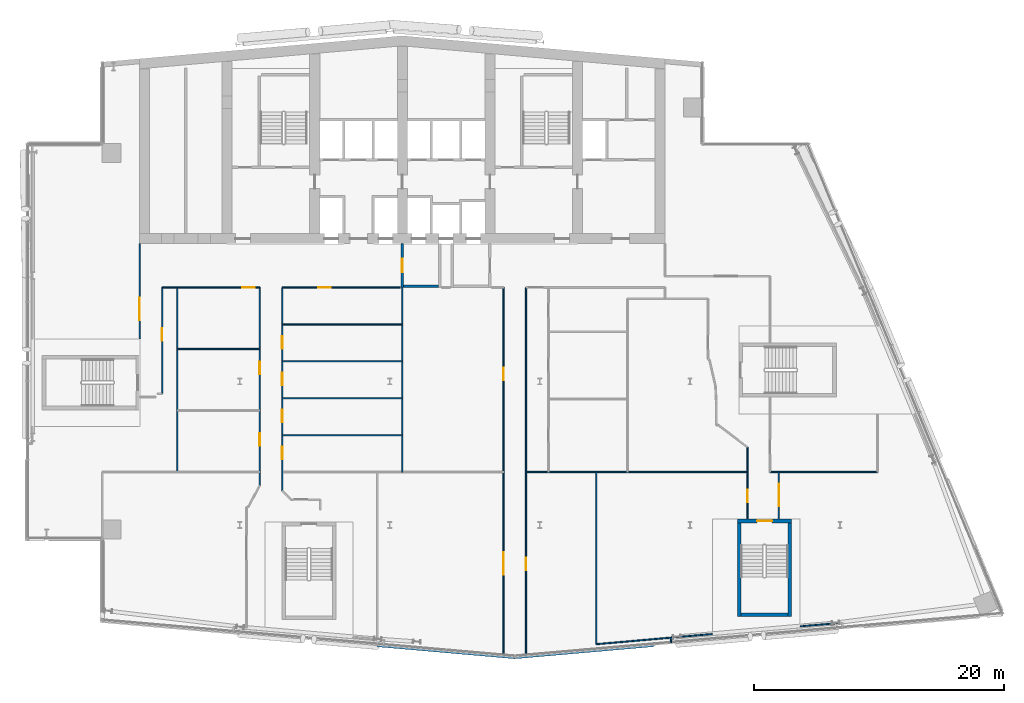
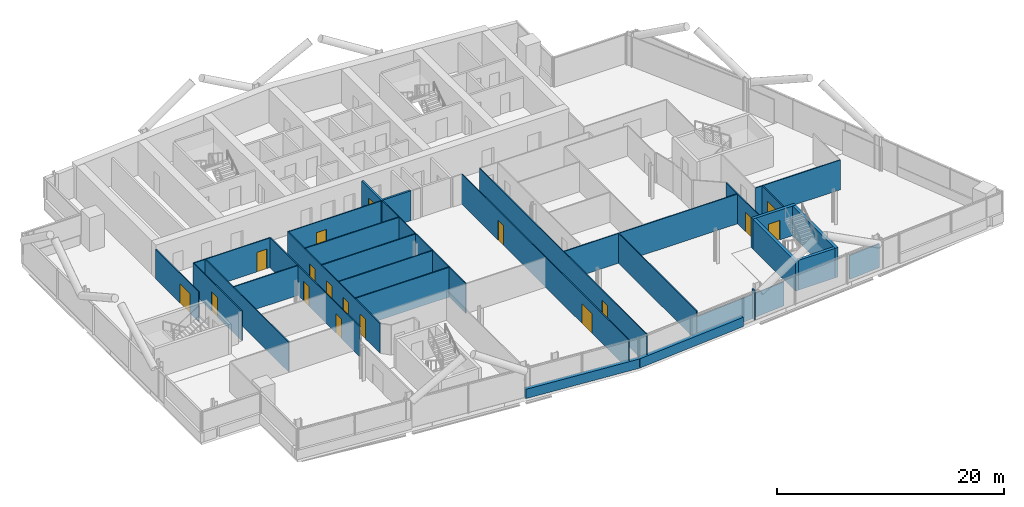
# One storey, part 16 of 26: 31 walls, 17 doors, 17 openings.
"""IFC4 building model written with IfcOpenShell, lengths in metres."""

from ifc_helpers import new_model, si_unit, direction, frame, frame_2d, origin, place, context, subcontext, project, spatial, rectangle, extrude, material, layer, layer_set, type_object, element, fill, save


model = new_model("IFC4")

# Units and contexts
model_context = context("Model", 3, precision=1e-05, world=origin(), true_north=direction((0.0, 1.0)))
body_context = subcontext(model_context, "Body", "Model", "MODEL_VIEW")
ifc_project = project(units=[si_unit("LENGTHUNIT", "METRE"), si_unit("AREAUNIT", "SQUARE_METRE"), si_unit("VOLUMEUNIT", "CUBIC_METRE"), si_unit("PLANEANGLEUNIT", "RADIAN"), si_unit("MASSUNIT", "GRAM", prefix="KILO")], contexts=[model_context])

# Site, building, storey
site_placement = place(None, origin())
site = spatial("IfcSite", under=ifc_project, at=site_placement, CompositionType="ELEMENT")
building_placement = place(site_placement, origin())
building = spatial("IfcBuilding", under=site, at=building_placement, Name="Wharfspan Tower", CompositionType="ELEMENT")
storey_placement = place(building_placement, frame((0.0, 0.0, 169.899902)))
storey = spatial("IfcBuildingStorey", under=building, at=storey_placement, Name="L41", CompositionType="ELEMENT", Elevation=169.899902)

# Wall, opening, door
ifc_material_1 = material(Name="Gypsum board on steel studs", Category="steel")
ifc_layer_1 = layer(ifc_material_1, 0.100098)
ifc_layer_set_1 = layer_set([ifc_layer_1], Name="Gypsum board on steel studs")
wall_type_1 = type_object("IfcWallType", Name="Compartment wall 100 EI 60", PredefinedType="PARTITIONING", material=ifc_layer_set_1)
wall_1_placement = place(storey_placement, frame((16.0, 26.419922, 0.0), z_axis=(0.0, 0.0, 1.0), x_axis=(0.0, 1.0, 0.0)))
wall_1 = element("IfcWall", 1, at=wall_1_placement, inside=storey, type_object=wall_type_1, Name="Partition L41.w006", PredefinedType="PARTITIONING", context=body_context, shape_type="SweptSolid", body=[
    extrude(rectangle(XDim=7.560059, YDim=0.100098, at=frame_2d((3.780029, 0.0))), origin(), (0.0, 0.0, 1.0), 3.200195),
])
opening_1_placement = place(wall_1_placement, frame((1.47998, 0.0, 0.0)))
opening_1 = element("IfcOpeningElement", 2, at=opening_1_placement, cuts=wall_1, Name="Opening C3-20", PredefinedType="OPENING", context=body_context, shape_type="SweptSolid", body=[
    extrude(rectangle(XDim=1.800049, YDim=2.100098, at=frame_2d((0.899902, 1.050049))), frame((0.0, 0.060059, 0.0), z_axis=(0.0, -1.0, 0.0), x_axis=(1.0, 0.0, 0.0)), (0.0, 0.0, 1.0), 0.120117),
])
ifc_material_2 = material(Name="Fire-rated timber door leaf in steel frame", Category="steel")
door_type_1 = type_object("IfcDoorType", Name="Door 1800 FD30S Double", OperationType="DOUBLE_DOOR_SINGLE_SWING", PredefinedType="DOOR", material=ifc_material_2)
door_1_placement = place(opening_1_placement, origin())
door_1 = element("IfcDoor", 3, at=door_1_placement, inside=storey, type_object=door_type_1, Name="Door C3-20", OperationType="DOUBLE_DOOR_SINGLE_SWING", OverallHeight=2.100098, OverallWidth=1.800049, PredefinedType="DOOR", context=body_context, shape_type="SweptSolid", body=[
    extrude(rectangle(XDim=1.800049, YDim=2.100098, at=frame_2d((0.899902, 1.050049))), frame((0.0, 0.024902, 0.0), z_axis=(0.0, -1.0, 0.0), x_axis=(1.0, 0.0, 0.0)), (0.0, 0.0, 1.0), 0.050049),
])
fill(opening_1, door_1)

wall_2_placement = place(storey_placement, frame((17.800049, 22.0, 0.0), z_axis=(0.0, 0.0, 1.0), x_axis=(0.0, 1.0, 0.0)))
wall_2 = element("IfcWall", 4, at=wall_2_placement, inside=storey, type_object=wall_type_1, Name="Partition L41.w009", PredefinedType="PARTITIONING", context=body_context, shape_type="SweptSolid", body=[
    extrude(rectangle(XDim=8.5, YDim=0.100098, at=frame_2d((4.25, 0.0))), origin(), (0.0, 0.0, 1.0), 3.200195),
])
opening_2_placement = place(wall_2_placement, frame((4.231201, 0.0, 0.0)))
opening_2 = element("IfcOpeningElement", 5, at=opening_2_placement, cuts=wall_2, Name="Opening C3-18", PredefinedType="OPENING", context=body_context, shape_type="SweptSolid", body=[
    extrude(rectangle(XDim=1.0, YDim=2.100098, at=frame_2d((0.5, 1.050049))), frame((0.0, 0.060059, 0.0), z_axis=(0.0, -1.0, 0.0), x_axis=(1.0, 0.0, 0.0)), (0.0, 0.0, 1.0), 0.120117),
])
door_type_2 = type_object("IfcDoorType", Name="Door 1000 FD30S Right", OperationType="SINGLE_SWING_RIGHT", PredefinedType="DOOR", material=ifc_material_2)
door_2_placement = place(opening_2_placement, origin())
door_2 = element("IfcDoor", 6, at=door_2_placement, inside=storey, type_object=door_type_2, Name="Door C3-18", OperationType="SINGLE_SWING_RIGHT", OverallHeight=2.100098, OverallWidth=1.0, PredefinedType="DOOR", context=body_context, shape_type="SweptSolid", body=[
    extrude(rectangle(XDim=1.0, YDim=2.100098, at=frame_2d((0.5, 1.050049))), frame((0.0, 0.024902, 0.0), z_axis=(0.0, -1.0, 0.0), x_axis=(1.0, 0.0, 0.0)), (0.0, 0.0, 1.0), 0.050049),
])
fill(opening_2, door_2)

wall_3_placement = place(storey_placement, frame((17.800049, 30.5, 0.0), z_axis=(0.0, 0.0, 1.0), x_axis=(1.0, 0.0, 0.0)))
wall_3 = element("IfcWall", 7, at=wall_3_placement, inside=storey, type_object=wall_type_1, Name="Partition L41.w010", PredefinedType="PARTITIONING", context=body_context, shape_type="SweptSolid", body=[
    extrude(rectangle(XDim=7.800049, YDim=0.100098, at=frame_2d((3.899902, 0.0))), origin(), (0.0, 0.0, 1.0), 3.200195),
])
opening_3_placement = place(wall_3_placement, frame((6.419922, 0.0, 0.0)))
opening_3 = element("IfcOpeningElement", 8, at=opening_3_placement, cuts=wall_3, Name="Opening C3-22", PredefinedType="OPENING", context=body_context, shape_type="SweptSolid", body=[
    extrude(rectangle(XDim=1.0, YDim=2.100098, at=frame_2d((0.5, 1.050049))), frame((0.0, 0.060059, 0.0), z_axis=(0.0, -1.0, 0.0), x_axis=(1.0, 0.0, 0.0)), (0.0, 0.0, 1.0), 0.120117),
])
door_3_placement = place(opening_3_placement, origin())
door_3 = element("IfcDoor", 9, at=door_3_placement, inside=storey, type_object=door_type_2, Name="Door C3-22", OperationType="SINGLE_SWING_RIGHT", OverallHeight=2.100098, OverallWidth=1.0, PredefinedType="DOOR", context=body_context, shape_type="SweptSolid", body=[
    extrude(rectangle(XDim=1.0, YDim=2.100098, at=frame_2d((0.5, 1.050049))), frame((0.0, 0.024902, 0.0), z_axis=(0.0, -1.0, 0.0), x_axis=(1.0, 0.0, 0.0)), (0.0, 0.0, 1.0), 0.050049),
])
fill(opening_3, door_3)

# Walls
wall_4_placement = place(storey_placement, frame((19.0, 15.745117, 0.0), z_axis=(0.0, 0.0, 1.0), x_axis=(0.0, 1.0, 0.0)))
element("IfcWall", 10, at=wall_4_placement, inside=storey, type_object=wall_type_1, Name="Partition L41.w011", PredefinedType="PARTITIONING", context=body_context, shape_type="SweptSolid", body=[
    extrude(rectangle(XDim=14.754883, YDim=0.100098, at=frame_2d((7.377441, 0.0))), origin(), (0.0, 0.0, 1.0), 3.200195),
])
wall_5_placement = place(storey_placement, frame((19.0, 25.580078, 0.0), z_axis=(0.0, 0.0, 1.0), x_axis=(1.0, 0.0, 0.0)))
element("IfcWall", 11, at=wall_5_placement, inside=storey, type_object=wall_type_1, Name="Partition L41.w013", PredefinedType="PARTITIONING", context=body_context, shape_type="SweptSolid", body=[
    extrude(rectangle(XDim=6.600098, YDim=0.100098, at=frame_2d((3.300049, 0.0))), origin(), (0.0, 0.0, 1.0), 3.200195),
])

# Wall, openings, doors
wall_6_placement = place(storey_placement, frame((25.600098, 14.669922, 0.0), z_axis=(0.0, 0.0, 1.0), x_axis=(0.0, 1.0, 0.0)))
wall_6 = element("IfcWall", 12, at=wall_6_placement, inside=storey, type_object=wall_type_1, Name="Partition L41.w018", PredefinedType="PARTITIONING", context=body_context, shape_type="SweptSolid", body=[
    extrude(rectangle(XDim=15.830078, YDim=0.100098, at=frame_2d((7.915039, 0.0))), origin(), (0.0, 0.0, 1.0), 3.200195),
])
opening_4_placement = place(wall_6_placement, frame((3.175049, 0.0, 0.0)))
opening_4 = element("IfcOpeningElement", 13, at=opening_4_placement, cuts=wall_6, Name="Opening C3-09", PredefinedType="OPENING", context=body_context, shape_type="SweptSolid", body=[
    extrude(rectangle(XDim=1.0, YDim=2.100098, at=frame_2d((0.5, 1.050049))), frame((0.0, 0.060059, 0.0), z_axis=(0.0, -1.0, 0.0), x_axis=(1.0, 0.0, 0.0)), (0.0, 0.0, 1.0), 0.120117),
])
opening_5_placement = place(wall_6_placement, frame((8.889893, 0.0, 0.0)))
opening_5 = element("IfcOpeningElement", 14, at=opening_5_placement, cuts=wall_6, Name="Opening C3-14", PredefinedType="OPENING", context=body_context, shape_type="SweptSolid", body=[
    extrude(rectangle(XDim=1.0, YDim=2.100098, at=frame_2d((0.5, 1.050049))), frame((0.0, 0.060059, 0.0), z_axis=(0.0, -1.0, 0.0), x_axis=(1.0, 0.0, 0.0)), (0.0, 0.0, 1.0), 0.120117),
])
door_type_3 = type_object("IfcDoorType", Name="Door 1000 FD30S Left", OperationType="SINGLE_SWING_LEFT", PredefinedType="DOOR", material=ifc_material_2)
door_4_placement = place(opening_4_placement, origin())
door_4 = element("IfcDoor", 15, at=door_4_placement, inside=storey, type_object=door_type_3, Name="Door C3-09", OperationType="SINGLE_SWING_LEFT", OverallHeight=2.100098, OverallWidth=1.0, PredefinedType="DOOR", context=body_context, shape_type="SweptSolid", body=[
    extrude(rectangle(XDim=1.0, YDim=2.100098, at=frame_2d((0.5, 1.050049))), frame((0.0, 0.024902, 0.0), z_axis=(0.0, -1.0, 0.0), x_axis=(1.0, 0.0, 0.0)), (0.0, 0.0, 1.0), 0.050049),
])
fill(opening_4, door_4)
door_5_placement = place(opening_5_placement, origin())
door_5 = element("IfcDoor", 16, at=door_5_placement, inside=storey, type_object=door_type_2, Name="Door C3-14", OperationType="SINGLE_SWING_RIGHT", OverallHeight=2.100098, OverallWidth=1.0, PredefinedType="DOOR", context=body_context, shape_type="SweptSolid", body=[
    extrude(rectangle(XDim=1.0, YDim=2.100098, at=frame_2d((0.5, 1.050049))), frame((0.0, 0.024902, 0.0), z_axis=(0.0, -1.0, 0.0), x_axis=(1.0, 0.0, 0.0)), (0.0, 0.0, 1.0), 0.050049),
])
fill(opening_5, door_5)

wall_7_placement = place(storey_placement, frame((27.399902, 14.23999, 0.0), z_axis=(0.0, 0.0, 1.0), x_axis=(0.0, 1.0, 0.0)))
wall_7 = element("IfcWall", 17, at=wall_7_placement, inside=storey, type_object=wall_type_1, Name="Partition L41.w019", PredefinedType="PARTITIONING", context=body_context, shape_type="SweptSolid", body=[
    extrude(rectangle(XDim=16.26001, YDim=0.100098, at=frame_2d((8.129883, 0.0))), origin(), (0.0, 0.0, 1.0), 3.200195),
])
opening_6_placement = place(wall_7_placement, frame((2.524902, 0.0, 0.0)))
opening_6 = element("IfcOpeningElement", 18, at=opening_6_placement, cuts=wall_7, Name="Opening C3-07", PredefinedType="OPENING", context=body_context, shape_type="SweptSolid", body=[
    extrude(rectangle(XDim=1.0, YDim=2.100098, at=frame_2d((0.5, 1.050049))), frame((0.0, 0.060059, 0.0), z_axis=(0.0, -1.0, 0.0), x_axis=(1.0, 0.0, 0.0)), (0.0, 0.0, 1.0), 0.120117),
])
opening_7_placement = place(wall_7_placement, frame((5.475098, 0.0, 0.0)))
opening_7 = element("IfcOpeningElement", 19, at=opening_7_placement, cuts=wall_7, Name="Opening C3-11", PredefinedType="OPENING", context=body_context, shape_type="SweptSolid", body=[
    extrude(rectangle(XDim=1.0, YDim=2.100098, at=frame_2d((0.5, 1.050049))), frame((0.0, 0.060059, 0.0), z_axis=(0.0, -1.0, 0.0), x_axis=(1.0, 0.0, 0.0)), (0.0, 0.0, 1.0), 0.120117),
])
opening_8_placement = place(wall_7_placement, frame((8.425049, 0.0, 0.0)))
opening_8 = element("IfcOpeningElement", 20, at=opening_8_placement, cuts=wall_7, Name="Opening C3-12", PredefinedType="OPENING", context=body_context, shape_type="SweptSolid", body=[
    extrude(rectangle(XDim=1.0, YDim=2.100098, at=frame_2d((0.5, 1.050049))), frame((0.0, 0.060059, 0.0), z_axis=(0.0, -1.0, 0.0), x_axis=(1.0, 0.0, 0.0)), (0.0, 0.0, 1.0), 0.120117),
])
opening_9_placement = place(wall_7_placement, frame((11.379883, 0.0, 0.0)))
opening_9 = element("IfcOpeningElement", 21, at=opening_9_placement, cuts=wall_7, Name="Opening C3-16", PredefinedType="OPENING", context=body_context, shape_type="SweptSolid", body=[
    extrude(rectangle(XDim=1.0, YDim=2.100098, at=frame_2d((0.5, 1.050049))), frame((0.0, 0.060059, 0.0), z_axis=(0.0, -1.0, 0.0), x_axis=(1.0, 0.0, 0.0)), (0.0, 0.0, 1.0), 0.120117),
])
door_6_placement = place(opening_6_placement, origin())
door_6 = element("IfcDoor", 22, at=door_6_placement, inside=storey, type_object=door_type_3, Name="Door C3-07", OperationType="SINGLE_SWING_LEFT", OverallHeight=2.100098, OverallWidth=1.0, PredefinedType="DOOR", context=body_context, shape_type="SweptSolid", body=[
    extrude(rectangle(XDim=1.0, YDim=2.100098, at=frame_2d((0.5, 1.050049))), frame((0.0, 0.024902, 0.0), z_axis=(0.0, -1.0, 0.0), x_axis=(1.0, 0.0, 0.0)), (0.0, 0.0, 1.0), 0.050049),
])
fill(opening_6, door_6)
door_7_placement = place(opening_7_placement, origin())
door_7 = element("IfcDoor", 23, at=door_7_placement, inside=storey, type_object=door_type_3, Name="Door C3-11", OperationType="SINGLE_SWING_LEFT", OverallHeight=2.100098, OverallWidth=1.0, PredefinedType="DOOR", context=body_context, shape_type="SweptSolid", body=[
    extrude(rectangle(XDim=1.0, YDim=2.100098, at=frame_2d((0.5, 1.050049))), frame((0.0, 0.024902, 0.0), z_axis=(0.0, -1.0, 0.0), x_axis=(1.0, 0.0, 0.0)), (0.0, 0.0, 1.0), 0.050049),
])
fill(opening_7, door_7)
door_8_placement = place(opening_8_placement, origin())
door_8 = element("IfcDoor", 24, at=door_8_placement, inside=storey, type_object=door_type_2, Name="Door C3-12", OperationType="SINGLE_SWING_RIGHT", OverallHeight=2.100098, OverallWidth=1.0, PredefinedType="DOOR", context=body_context, shape_type="SweptSolid", body=[
    extrude(rectangle(XDim=1.0, YDim=2.100098, at=frame_2d((0.5, 1.050049))), frame((0.0, 0.024902, 0.0), z_axis=(0.0, -1.0, 0.0), x_axis=(1.0, 0.0, 0.0)), (0.0, 0.0, 1.0), 0.050049),
])
fill(opening_8, door_8)
door_9_placement = place(opening_9_placement, origin())
door_9 = element("IfcDoor", 25, at=door_9_placement, inside=storey, type_object=door_type_2, Name="Door C3-16", OperationType="SINGLE_SWING_RIGHT", OverallHeight=2.100098, OverallWidth=1.0, PredefinedType="DOOR", context=body_context, shape_type="SweptSolid", body=[
    extrude(rectangle(XDim=1.0, YDim=2.100098, at=frame_2d((0.5, 1.050049))), frame((0.0, 0.024902, 0.0), z_axis=(0.0, -1.0, 0.0), x_axis=(1.0, 0.0, 0.0)), (0.0, 0.0, 1.0), 0.050049),
])
fill(opening_9, door_9)

# Walls
for number, where, z_axis, x_axis, name in (
    (26, (27.399902, 18.695068, 0.0), (0.0, 0.0, 1.0), (1.0, 0.0, 0.0), "Partition L41.w021"),
    (27, (27.399902, 21.64502, 0.0), (0.0, 0.0, 1.0), (1.0, 0.0, 0.0), "Partition L41.w022"),
    (28, (27.399902, 24.600098, 0.0), (0.0, 0.0, 1.0), (1.0, 0.0, 0.0), "Partition L41.w023"),
    (29, (27.399902, 27.550049, 0.0), (0.0, 0.0, 1.0), (1.0, 0.0, 0.0), "Partition L41.w024"),
):
    element("IfcWall", number, at=place(storey_placement, frame(where, z_axis=z_axis, x_axis=x_axis)), inside=storey, type_object=wall_type_1, Name=name, PredefinedType="PARTITIONING", context=body_context, shape_type="SweptSolid", body=[
        extrude(rectangle(XDim=9.600098, YDim=0.100098, at=frame_2d((4.800049, 0.0))), origin(), (0.0, 0.0, 1.0), 3.200195),
    ])

# Wall, opening, door
wall_8_placement = place(storey_placement, frame((27.399902, 30.5, 0.0), z_axis=(0.0, 0.0, 1.0), x_axis=(1.0, 0.0, 0.0)))
wall_8 = element("IfcWall", 30, at=wall_8_placement, inside=storey, type_object=wall_type_1, Name="Partition L41.w025", PredefinedType="PARTITIONING", context=body_context, shape_type="SweptSolid", body=[
    extrude(rectangle(XDim=9.450195, YDim=0.100098, at=frame_2d((4.725098, 0.0))), origin(), (0.0, 0.0, 1.0), 3.200195),
])
opening_10_placement = place(wall_8_placement, frame((2.870117, 0.0, 0.0)))
opening_10 = element("IfcOpeningElement", 31, at=opening_10_placement, cuts=wall_8, Name="Opening C3-23", PredefinedType="OPENING", context=body_context, shape_type="SweptSolid", body=[
    extrude(rectangle(XDim=1.0, YDim=2.100098, at=frame_2d((0.5, 1.050049))), frame((0.0, 0.060059, 0.0), z_axis=(0.0, -1.0, 0.0), x_axis=(1.0, 0.0, 0.0)), (0.0, 0.0, 1.0), 0.120117),
])
door_10_placement = place(opening_10_placement, origin())
door_10 = element("IfcDoor", 32, at=door_10_placement, inside=storey, type_object=door_type_3, Name="Door C3-23", OperationType="SINGLE_SWING_LEFT", OverallHeight=2.100098, OverallWidth=1.0, PredefinedType="DOOR", context=body_context, shape_type="SweptSolid", body=[
    extrude(rectangle(XDim=1.0, YDim=2.100098, at=frame_2d((0.5, 1.050049))), frame((0.0, 0.024902, 0.0), z_axis=(0.0, -1.0, 0.0), x_axis=(1.0, 0.0, 0.0)), (0.0, 0.0, 1.0), 0.050049),
])
fill(opening_10, door_10)

# Wall
wall_9_placement = place(storey_placement, frame((37.0, 15.745117, 0.0), z_axis=(0.0, 0.0, 1.0), x_axis=(0.0, 1.0, 0.0)))
element("IfcWall", 33, at=wall_9_placement, inside=storey, type_object=wall_type_1, Name="Partition L41.w032", PredefinedType="PARTITIONING", context=body_context, shape_type="SweptSolid", body=[
    extrude(rectangle(XDim=14.754883, YDim=0.100098, at=frame_2d((7.377441, 0.0))), origin(), (0.0, 0.0, 1.0), 3.200195),
])

# Wall, openings, doors
wall_10_placement = place(storey_placement, frame((45.100098, 1.086914, 0.0), z_axis=(0.0, 0.0, 1.0), x_axis=(0.0, 1.0, 0.0)))
wall_10 = element("IfcWall", 34, at=wall_10_placement, inside=storey, type_object=wall_type_1, Name="Partition L41.w033", PredefinedType="PARTITIONING", context=body_context, shape_type="SweptSolid", body=[
    extrude(rectangle(XDim=29.413086, YDim=0.100098, at=frame_2d((14.706543, 0.0))), origin(), (0.0, 0.0, 1.0), 3.200195),
])
opening_11_placement = place(wall_10_placement, frame((6.438232, 0.0, 0.0)))
opening_11 = element("IfcOpeningElement", 35, at=opening_11_placement, cuts=wall_10, Name="Opening C3-02", PredefinedType="OPENING", context=body_context, shape_type="SweptSolid", body=[
    extrude(rectangle(XDim=1.800049, YDim=2.100098, at=frame_2d((0.899902, 1.050049))), frame((0.0, 0.060059, 0.0), z_axis=(0.0, -1.0, 0.0), x_axis=(1.0, 0.0, 0.0)), (0.0, 0.0, 1.0), 0.120117),
])
opening_12_placement = place(wall_10_placement, frame((21.993164, 0.0, 0.0)))
opening_12 = element("IfcOpeningElement", 36, at=opening_12_placement, cuts=wall_10, Name="Opening C3-13", PredefinedType="OPENING", context=body_context, shape_type="SweptSolid", body=[
    extrude(rectangle(XDim=1.0, YDim=2.100098, at=frame_2d((0.5, 1.050049))), frame((0.0, 0.060059, 0.0), z_axis=(0.0, -1.0, 0.0), x_axis=(1.0, 0.0, 0.0)), (0.0, 0.0, 1.0), 0.120117),
])
door_11_placement = place(opening_12_placement, origin())
door_11 = element("IfcDoor", 37, at=door_11_placement, inside=storey, type_object=door_type_2, Name="Door C3-13", OperationType="SINGLE_SWING_RIGHT", OverallHeight=2.100098, OverallWidth=1.0, PredefinedType="DOOR", context=body_context, shape_type="SweptSolid", body=[
    extrude(rectangle(XDim=1.0, YDim=2.100098, at=frame_2d((0.5, 1.050049))), frame((0.0, 0.024902, 0.0), z_axis=(0.0, -1.0, 0.0), x_axis=(1.0, 0.0, 0.0)), (0.0, 0.0, 1.0), 0.050049),
])
fill(opening_12, door_11)
door_12_placement = place(opening_11_placement, origin())
door_12 = element("IfcDoor", 38, at=door_12_placement, inside=storey, type_object=door_type_1, Name="Door C3-02", OperationType="DOUBLE_DOOR_SINGLE_SWING", OverallHeight=2.100098, OverallWidth=1.800049, PredefinedType="DOOR", context=body_context, shape_type="SweptSolid", body=[
    extrude(rectangle(XDim=1.800049, YDim=2.100098, at=frame_2d((0.899902, 1.050049))), frame((0.0, 0.024902, 0.0), z_axis=(0.0, -1.0, 0.0), x_axis=(1.0, 0.0, 0.0)), (0.0, 0.0, 1.0), 0.050049),
])
fill(opening_11, door_12)

# Wall, opening, door
wall_11_placement = place(storey_placement, frame((46.899902, 1.086914, 0.0), z_axis=(0.0, 0.0, 1.0), x_axis=(0.0, 1.0, 0.0)))
wall_11 = element("IfcWall", 39, at=wall_11_placement, inside=storey, type_object=wall_type_1, Name="Partition L41.w034", PredefinedType="PARTITIONING", context=body_context, shape_type="SweptSolid", body=[
    extrude(rectangle(XDim=29.403076, YDim=0.100098, at=frame_2d((14.70166, 0.0))), origin(), (0.0, 0.0, 1.0), 3.200195),
])
opening_13_placement = place(wall_11_placement, frame((6.797852, 0.0, 0.0)))
opening_13 = element("IfcOpeningElement", 40, at=opening_13_placement, cuts=wall_11, Name="Opening C3-01", PredefinedType="OPENING", context=body_context, shape_type="SweptSolid", body=[
    extrude(rectangle(XDim=1.0, YDim=2.100098, at=frame_2d((0.5, 1.050049))), frame((0.0, 0.060059, 0.0), z_axis=(0.0, -1.0, 0.0), x_axis=(1.0, 0.0, 0.0)), (0.0, 0.0, 1.0), 0.120117),
])
door_13_placement = place(opening_13_placement, origin())
door_13 = element("IfcDoor", 41, at=door_13_placement, inside=storey, type_object=door_type_3, Name="Door C3-01", OperationType="SINGLE_SWING_LEFT", OverallHeight=2.100098, OverallWidth=1.0, PredefinedType="DOOR", context=body_context, shape_type="SweptSolid", body=[
    extrude(rectangle(XDim=1.0, YDim=2.100098, at=frame_2d((0.5, 1.050049))), frame((0.0, 0.024902, 0.0), z_axis=(0.0, -1.0, 0.0), x_axis=(1.0, 0.0, 0.0)), (0.0, 0.0, 1.0), 0.050049),
])
fill(opening_13, door_13)

# Wall
wall_12_placement = place(storey_placement, frame((46.909912, 15.745117, 0.0), z_axis=(0.0, 0.0, 1.0), x_axis=(1.0, 0.0, 0.0)))
element("IfcWall", 42, at=wall_12_placement, inside=storey, type_object=wall_type_1, Name="Partition L41.w035", PredefinedType="PARTITIONING", context=body_context, shape_type="SweptSolid", body=[
    extrude(rectangle(XDim=17.690186, YDim=0.100098, at=frame_2d((8.845215, 0.0))), origin(), (0.0, 0.0, 1.0), 3.200195),
])

# Wall, opening, door
wall_13_placement = place(storey_placement, frame((64.600098, 12.003662, 0.0), z_axis=(0.0, 0.0, 1.0), x_axis=(0.0, 1.0, 0.0)))
wall_13 = element("IfcWall", 43, at=wall_13_placement, inside=storey, type_object=wall_type_1, Name="Partition L41.w055", PredefinedType="PARTITIONING", context=body_context, shape_type="SweptSolid", body=[
    extrude(rectangle(XDim=5.716309, YDim=0.100098, at=frame_2d((2.858154, 0.0))), origin(), (0.0, 0.0, 1.0), 3.200195),
])
opening_14_placement = place(wall_13_placement, frame((1.321289, 0.0, 0.0)))
opening_14 = element("IfcOpeningElement", 44, at=opening_14_placement, cuts=wall_13, Name="Opening C3-05", PredefinedType="OPENING", context=body_context, shape_type="SweptSolid", body=[
    extrude(rectangle(XDim=1.0, YDim=2.100098, at=frame_2d((0.5, 1.050049))), frame((0.0, 0.060059, 0.0), z_axis=(0.0, -1.0, 0.0), x_axis=(1.0, 0.0, 0.0)), (0.0, 0.0, 1.0), 0.120117),
])
door_14_placement = place(opening_14_placement, origin())
door_14 = element("IfcDoor", 45, at=door_14_placement, inside=storey, type_object=door_type_3, Name="Door C3-05", OperationType="SINGLE_SWING_LEFT", OverallHeight=2.100098, OverallWidth=1.0, PredefinedType="DOOR", context=body_context, shape_type="SweptSolid", body=[
    extrude(rectangle(XDim=1.0, YDim=2.100098, at=frame_2d((0.5, 1.050049))), frame((0.0, 0.024902, 0.0), z_axis=(0.0, -1.0, 0.0), x_axis=(1.0, 0.0, 0.0)), (0.0, 0.0, 1.0), 0.050049),
])
fill(opening_14, door_14)

# Wall
wall_14_placement = place(storey_placement, frame((66.399902, 15.745117, 0.0), z_axis=(0.0, 0.0, 1.0), x_axis=(1.0, 0.0, 0.0)))
element("IfcWall", 46, at=wall_14_placement, inside=storey, type_object=wall_type_1, Name="Partition L41.w058", PredefinedType="PARTITIONING", context=body_context, shape_type="SweptSolid", body=[
    extrude(rectangle(XDim=8.600098, YDim=0.100098, at=frame_2d((4.300049, 0.0))), origin(), (0.0, 0.0, 1.0), 3.200195),
])

# Wall, opening, door
wall_15_placement = place(storey_placement, frame((67.110107, 12.003662, 0.0), z_axis=(0.0, 0.0, 1.0), x_axis=(0.0, 1.0, 0.0)))
wall_15 = element("IfcWall", 47, at=wall_15_placement, inside=storey, type_object=wall_type_1, Name="Partition L41.w060", PredefinedType="PARTITIONING", context=body_context, shape_type="SweptSolid", body=[
    extrude(rectangle(XDim=3.741455, YDim=0.100098, at=frame_2d((1.870605, 0.0))), origin(), (0.0, 0.0, 1.0), 3.200195),
])
opening_15_placement = place(wall_15_placement, frame((1.001221, 0.0, 0.0)))
opening_15 = element("IfcOpeningElement", 48, at=opening_15_placement, cuts=wall_15, Name="Opening C3-06", PredefinedType="OPENING", context=body_context, shape_type="SweptSolid", body=[
    extrude(rectangle(XDim=1.800049, YDim=2.100098, at=frame_2d((0.899902, 1.050049))), frame((0.0, 0.060059, 0.0), z_axis=(0.0, -1.0, 0.0), x_axis=(1.0, 0.0, 0.0)), (0.0, 0.0, 1.0), 0.120117),
])
door_15_placement = place(opening_15_placement, origin())
door_15 = element("IfcDoor", 49, at=door_15_placement, inside=storey, type_object=door_type_1, Name="Door C3-06", OperationType="DOUBLE_DOOR_SINGLE_SWING", OverallHeight=2.100098, OverallWidth=1.800049, PredefinedType="DOOR", context=body_context, shape_type="SweptSolid", body=[
    extrude(rectangle(XDim=1.800049, YDim=2.100098, at=frame_2d((0.899902, 1.050049))), frame((0.0, 0.024902, 0.0), z_axis=(0.0, -1.0, 0.0), x_axis=(1.0, 0.0, 0.0)), (0.0, 0.0, 1.0), 0.050049),
])
fill(opening_15, door_15)

ifc_material_3 = material(Name="Concrete C30/37", Category="concrete")
ifc_layer_2 = layer(ifc_material_3, 0.199951)
ifc_layer_set_2 = layer_set([ifc_layer_2], Name="Concrete C30/37")
wall_type_2 = type_object("IfcWallType", Name="Lobby wall 200", PredefinedType="PARTITIONING", material=ifc_layer_set_2)
wall_16_placement = place(storey_placement, frame((37.0, 30.5, 0.0), z_axis=(0.0, 0.0, 1.0), x_axis=(0.0, 1.0, 0.0)))
wall_16 = element("IfcWall", 50, at=wall_16_placement, inside=storey, type_object=wall_type_2, Name="sw:L41:FLFF1W", PredefinedType="PARTITIONING", context=body_context, shape_type="SweptSolid", body=[
    extrude(rectangle(XDim=3.5, YDim=0.199951, at=frame_2d((1.75, 0.0))), origin(), (0.0, 0.0, 1.0), 3.200195),
])
opening_16_placement = place(wall_16_placement, frame((1.199951, 0.0, 0.0)))
opening_16 = element("IfcOpeningElement", 51, at=opening_16_placement, cuts=wall_16, Name="Opening FL.FF1.L41", PredefinedType="OPENING", context=body_context, shape_type="SweptSolid", body=[
    extrude(rectangle(XDim=1.100098, YDim=2.100098, at=frame_2d((0.550049, 1.050049))), frame((0.0, 0.109863, 0.0), z_axis=(0.0, -1.0, 0.0), x_axis=(1.0, 0.0, 0.0)), (0.0, 0.0, 1.0), 0.219971),
])
ifc_material_4 = material(Name="Steel door leaf", Category="steel")
door_type_4 = type_object("IfcDoorType", Name="Firefighting lobby door 1100x2100", OperationType="SINGLE_SWING_LEFT", PredefinedType="DOOR", material=ifc_material_4)
door_16_placement = place(opening_16_placement, origin())
door_16 = element("IfcDoor", 52, at=door_16_placement, inside=storey, type_object=door_type_4, Name="fd:L41:FF1", OperationType="SINGLE_SWING_LEFT", OverallHeight=2.100098, OverallWidth=1.100098, PredefinedType="DOOR", context=body_context, shape_type="SweptSolid", body=[
    extrude(rectangle(XDim=1.100098, YDim=2.100098, at=frame_2d((0.550049, 1.050049))), frame((0.0, 0.024902, 0.0), z_axis=(0.0, -1.0, 0.0), x_axis=(1.0, 0.0, 0.0)), (0.0, 0.0, 1.0), 0.050049),
])
fill(opening_16, door_16)

# Walls
wall_17_placement = place(storey_placement, frame((37.100098, 30.600098, 0.0), z_axis=(0.0, 0.0, 1.0), x_axis=(1.0, 0.0, 0.0)))
element("IfcWall", 53, at=wall_17_placement, inside=storey, type_object=wall_type_2, Name="sw:L41:FLFF1F", PredefinedType="PARTITIONING", context=body_context, shape_type="SweptSolid", body=[
    extrude(rectangle(XDim=2.799805, YDim=0.199951, at=frame_2d((1.399902, 0.0))), origin(), (0.0, 0.0, 1.0), 3.200195),
])
ifc_layer_3 = layer(ifc_material_1, 0.100098)
ifc_layer_set_3 = layer_set([ifc_layer_3], Name="Gypsum board on steel studs")
wall_type_3 = type_object("IfcWallType", Name="Partition 100", PredefinedType="PARTITIONING", material=ifc_layer_set_3)
wall_18_placement = place(storey_placement, frame((52.5, 1.97998, 0.0), z_axis=(0.0, 0.0, 1.0), x_axis=(0.0, 1.0, 0.0)))
element("IfcWall", 54, at=wall_18_placement, inside=storey, type_object=wall_type_3, Name="Partition L41.w040", PredefinedType="PARTITIONING", context=body_context, shape_type="SweptSolid", body=[
    extrude(rectangle(XDim=13.765137, YDim=0.100098, at=frame_2d((6.882568, 0.0))), origin(), (0.0, 0.0, 1.0), 3.200195),
])
wall_19_placement = place(storey_placement, frame((52.5, 1.97998, 0.0), z_axis=(0.0, 0.0, 1.0), x_axis=(0.99622, 0.086844, 0.0)))
element("IfcWall", 55, at=wall_19_placement, inside=storey, type_object=wall_type_3, Name="Partition L41.w041", PredefinedType="PARTITIONING", context=body_context, shape_type="SweptSolid", body=[
    extrude(rectangle(XDim=9.327637, YDim=0.100098, at=frame_2d((4.663818, 0.0))), origin(), (0.0, 0.0, 1.0), 2.580078),
])
wall_20_placement = place(storey_placement, frame((58.498291, 2.101562, 0.0), z_axis=(0.0, 0.0, 1.0), x_axis=(-0.083045, 0.996542, 0.0)))
element("IfcWall", 56, at=wall_20_placement, inside=storey, type_object=wall_type_3, Name="Partition L41.w048", PredefinedType="PARTITIONING", context=body_context, shape_type="SweptSolid", body=[
    extrude(rectangle(XDim=0.399902, YDim=0.100098, at=frame_2d((0.199951, 0.0))), origin(), (0.0, 0.0, 1.0), 3.200195),
])
wall_21_placement = place(storey_placement, frame((68.831299, 3.406738, 0.0), z_axis=(0.0, 0.0, 1.0), x_axis=(0.996308, 0.085898, 0.0)))
element("IfcWall", 57, at=wall_21_placement, inside=storey, type_object=wall_type_3, Name="Partition L41.w061", PredefinedType="PARTITIONING", context=body_context, shape_type="SweptSolid", body=[
    extrude(rectangle(XDim=3.18042, YDim=0.100098, at=frame_2d((1.590332, 0.0))), origin(), (0.0, 0.0, 1.0), 2.580078),
])
ifc_material_5 = material(Name="Concrete C40/50", Category="concrete")
ifc_layer_4 = layer(ifc_material_5, 0.350098)
ifc_layer_set_4 = layer_set([ifc_layer_4], Name="Concrete C40/50")
wall_type_4 = type_object("IfcWallType", Name="SPANDREL EXPOSED CONCRETE 350", PredefinedType="SOLIDWALL", material=ifc_layer_set_4)
wall_22_placement = place(storey_placement, frame((35.029541, 1.942627, 0.0), z_axis=(0.0, 0.0, 1.0), x_axis=(0.996199, -0.08714, 0.0)))
element("IfcWall", 58, at=wall_22_placement, inside=storey, type_object=wall_type_4, Name="Spandrel upstand L41 S1 2", PredefinedType="SOLIDWALL", context=body_context, shape_type="SweptSolid", body=[
    extrude(rectangle(XDim=11.027588, YDim=0.350098, at=frame_2d((5.513672, 0.0))), origin(), (0.0, 0.0, 1.0), 1.0),
])
wall_23_placement = place(storey_placement, frame((46.04541, 0.986816, 0.0), z_axis=(0.0, 0.0, 1.0), x_axis=(0.996193, 0.087171, 0.0)))
element("IfcWall", 59, at=wall_23_placement, inside=storey, type_object=wall_type_4, Name="Spandrel upstand L41 S2 1", PredefinedType="SOLIDWALL", context=body_context, shape_type="SweptSolid", body=[
    extrude(rectangle(XDim=11.110352, YDim=0.350098, at=frame_2d((5.555176, 0.0))), origin(), (0.0, 0.0, 1.0), 1.0),
])

# Wall, opening, door
ifc_layer_5 = layer(ifc_material_5, 0.300049)
ifc_layer_set_5 = layer_set([ifc_layer_5], Name="Concrete C40/50")
wall_type_5 = type_object("IfcWallType", Name="Stair core wall 300", PredefinedType="SHEAR", material=ifc_layer_set_5)
wall_24_placement = place(storey_placement, frame((63.786377, 11.83374, 0.0), z_axis=(0.0, 0.0, 1.0), x_axis=(1.0, 0.0, 0.0)))
wall_24 = element("IfcWall", 60, at=wall_24_placement, inside=storey, type_object=wall_type_5, Name="ST5 stair enclosure wall L41", PredefinedType="SHEAR", context=body_context, shape_type="SweptSolid", body=[
    extrude(rectangle(XDim=4.350098, YDim=0.300049, at=frame_2d((2.175049, 0.0))), origin(), (0.0, 0.0, 1.0), 3.200195),
])
opening_17_placement = place(wall_24_placement, frame((1.574951, 0.0, 0.0)))
opening_17 = element("IfcOpeningElement", 61, at=opening_17_placement, cuts=wall_24, Name="Opening SD5.L41", PredefinedType="OPENING", context=body_context, shape_type="SweptSolid", body=[
    extrude(rectangle(XDim=1.199951, YDim=2.100098, at=frame_2d((0.600098, 1.050049))), frame((0.0, 0.159912, 0.0), z_axis=(0.0, -1.0, 0.0), x_axis=(1.0, 0.0, 0.0)), (0.0, 0.0, 1.0), 0.320068),
])
door_type_5 = type_object("IfcDoorType", Name="Stair door 1200x2100", OperationType="SINGLE_SWING_LEFT", PredefinedType="DOOR", material=ifc_material_4)
door_17_placement = place(opening_17_placement, origin())
door_17 = element("IfcDoor", 62, at=door_17_placement, inside=storey, type_object=door_type_5, Name="sd:L41:ST5z3", OperationType="SINGLE_SWING_RIGHT", OverallHeight=2.100098, OverallWidth=1.199951, PredefinedType="DOOR", context=body_context, shape_type="SweptSolid", body=[
    extrude(rectangle(XDim=1.199951, YDim=2.100098, at=frame_2d((0.600098, 1.050049))), frame((0.0, 0.024902, 0.0), z_axis=(0.0, -1.0, 0.0), x_axis=(1.0, 0.0, 0.0)), (0.0, 0.0, 1.0), 0.050049),
])
fill(opening_17, door_17)

# Walls
for number, where, z_axis, x_axis, name in (
    (63, (63.936279, 4.183594, 0.0), (0.0, 0.0, 1.0), (0.0, 1.0, 0.0), "ST5 stair enclosure wall L41"),
    (64, (67.986328, 4.183594, 0.0), (0.0, 0.0, 1.0), (0.0, 1.0, 0.0), "ST5 stair enclosure wall L41"),
):
    element("IfcWall", number, at=place(storey_placement, frame(where, z_axis=z_axis, x_axis=x_axis)), inside=storey, type_object=wall_type_5, Name=name, PredefinedType="SHEAR", context=body_context, shape_type="SweptSolid", body=[
        extrude(rectangle(XDim=7.5, YDim=0.300049, at=frame_2d((3.75, 0.0))), origin(), (0.0, 0.0, 1.0), 3.200195),
    ])
wall_25_placement = place(storey_placement, frame((64.086426, 4.33374, 0.0), z_axis=(0.0, 0.0, 1.0), x_axis=(1.0, 0.0, 0.0)))
element("IfcWall", 65, at=wall_25_placement, inside=storey, type_object=wall_type_5, Name="ST5 stair enclosure wall L41", PredefinedType="SHEAR", context=body_context, shape_type="SweptSolid", body=[
    extrude(rectangle(XDim=3.75, YDim=0.300049, at=frame_2d((1.875, 0.0))), origin(), (0.0, 0.0, 1.0), 3.200195),
])

save(model, "model.ifc")
